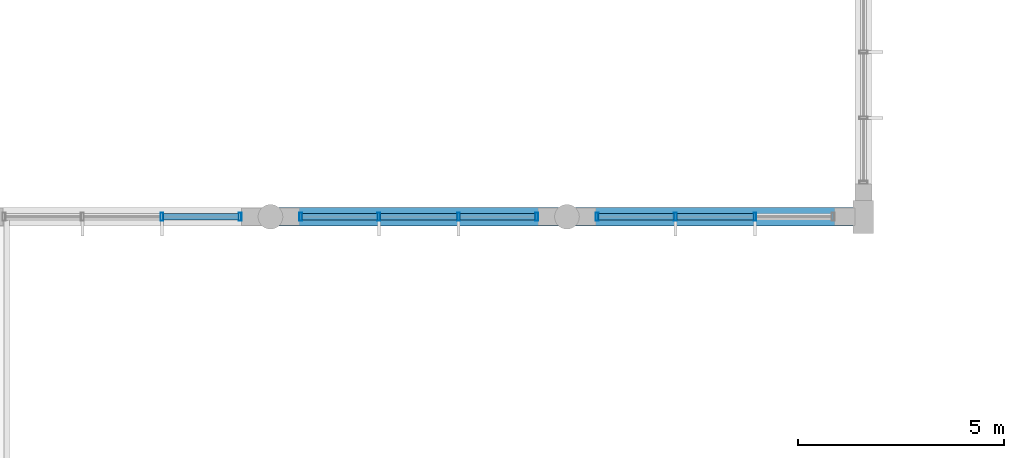
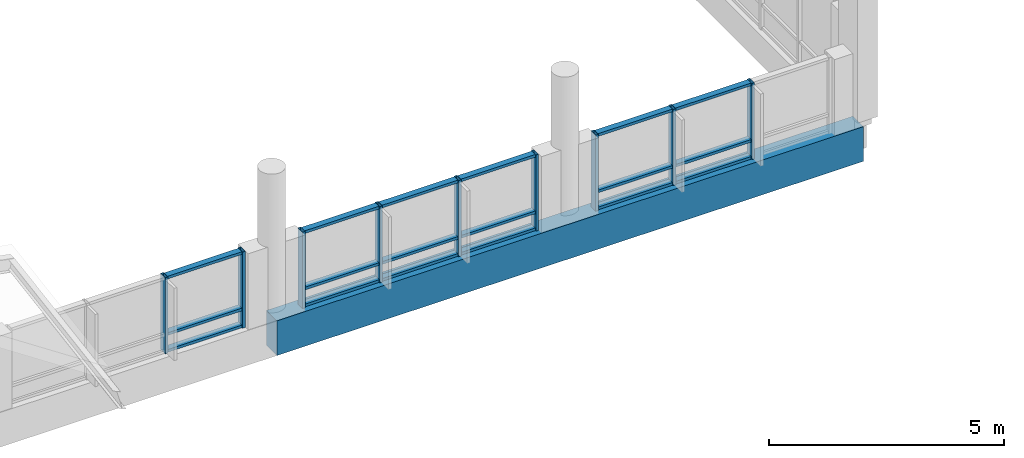
# One storey, part 59 of 189: 27 members, 1 beam, 3 elements without a shape of their own.
"""IFC4 building model written with IfcOpenShell, lengths in metres."""

from ifc_helpers import new_model, si_unit, direction, frame, origin, origin_2d, place, context, subcontext, project, spatial, rectangle, hollow_rectangle, extrude, material, material_profile, profile_set, type_object, element, aggregate, save


model = new_model("IFC4")

# Units and contexts
model_context = context("Model", 3, precision=1e-05, world=origin(), true_north=direction((0.0, 1.0)))
body_context = subcontext(model_context, "Body", "Model", "MODEL_VIEW")
ifc_project = project(units=[si_unit("LENGTHUNIT", "METRE"), si_unit("AREAUNIT", "SQUARE_METRE"), si_unit("VOLUMEUNIT", "CUBIC_METRE"), si_unit("PLANEANGLEUNIT", "RADIAN"), si_unit("MASSUNIT", "GRAM", prefix="KILO")], contexts=[model_context])

# Site, building, storey
site_placement = place(None, origin())
site = spatial("IfcSite", under=ifc_project, at=site_placement, CompositionType="ELEMENT")
building_placement = place(site_placement, origin())
building = spatial("IfcBuilding", under=site, at=building_placement, Name="Zavelmont Quarter", CompositionType="ELEMENT")
storey_placement = place(building_placement, frame((0.0, 0.0, 4.39990234375)))
storey = spatial("IfcBuildingStorey", under=building, at=storey_placement, Name="L01", CompositionType="ELEMENT", Elevation=4.39990234375)

# Beam
ifc_material_1 = material(Name="Concrete C40/50", Category="concrete")
ifc_material_profile_1 = material_profile(ifc_material_1, rectangle(XDim=0.449951171875, YDim=0.89990234375, at=origin_2d()), Name="RC450X900")
ifc_profile_set_1 = profile_set([ifc_material_profile_1], Name="Concrete C40/50")
beam_type = type_object("IfcBeamType", Name="BM06", PredefinedType="BEAM", material=ifc_profile_set_1)
beam_placement = place(storey_placement, frame((98.39990234375, 30.0, -0.72998046875), z_axis=(1.0, 0.0, 0.0), x_axis=(0.0, 1.0, 0.0)))
element("IfcBeam", 1, at=beam_placement, inside=storey, type_object=beam_type, Name="L01 beam BM06 15/F to 17/F", PredefinedType="BEAM", context=body_context, shape_type="SweptSolid", body=[
    extrude(rectangle(XDim=0.449951171875, YDim=0.89990234375, at=origin_2d()), origin(), (0.0, 0.0, 1.0), 14.400146484375),
])

# Curtain wall, members
ifc_material_2 = material(Name="Thermally broken aluminium and double low-E safety glazing", Category="aluminium")
curtain_wall_type = type_object("IfcCurtainWallType", Name="CW-580X198", PredefinedType="NOTDEFINED", material=ifc_material_2)
curtain_wall_1_placement = place(storey_placement, origin())
curtain_wall_1 = element("IfcCurtainWall", 2, at=curtain_wall_1_placement, inside=storey, type_object=curtain_wall_type, Name="L01 unitised curtain wall CW-580X198", PredefinedType="NOTDEFINED")
ifc_material_3 = material(Name="Powder-coated aluminium EN AW-6063-T6", Category="aluminium")
ifc_material_profile_2 = material_profile(ifc_material_3, hollow_rectangle(XDim=0.070068359375, YDim=0.199951171875, WallThickness=0.0048828125, at=origin_2d()), Name="CWM70X200")
ifc_profile_set_2 = profile_set([ifc_material_profile_2], Name="Powder-coated aluminium EN AW-6063-T6")
member_type_1 = type_object("IfcMemberType", Name="CWM02", PredefinedType="MULLION", material=ifc_profile_set_2)
member_1_placement = place(storey_placement, frame((95.7666015625, 30.0, -0.27978515625), z_axis=(0.0, 0.0, 1.0), x_axis=(1.0, 0.0, 0.0)))
member_1 = element("IfcMember", 3, at=member_1_placement, type_object=member_type_1, Name="CW-580X198 mullion 3", PredefinedType="MULLION", context=body_context, shape_type="SweptSolid", body=[
    extrude(hollow_rectangle(XDim=0.070068359375, YDim=0.199951171875, WallThickness=0.0048828125, at=origin_2d()), origin(), (0.0, 0.0, 1.0), 1.974853515625),
])
member_2_placement = place(storey_placement, frame((97.6650390625, 30.0, -0.27978515625), z_axis=(0.0, 0.0, 1.0), x_axis=(1.0, 0.0, 0.0)))
member_2 = element("IfcMember", 4, at=member_2_placement, type_object=member_type_1, Name="CW-580X198 mullion 4", PredefinedType="MULLION", context=body_context, shape_type="SweptSolid", body=[
    extrude(hollow_rectangle(XDim=0.070068359375, YDim=0.199951171875, WallThickness=0.0048828125, at=origin_2d()), origin(), (0.0, 0.0, 1.0), 1.974853515625),
])

curtain_wall_2_placement = place(storey_placement, origin())
curtain_wall_2 = element("IfcCurtainWall", 5, at=curtain_wall_2_placement, inside=storey, type_object=curtain_wall_type, Name="L01 unitised curtain wall CW-580X198", PredefinedType="NOTDEFINED")
member_3_placement = place(storey_placement, frame((99.135009765625, 30.0, -0.27978515625), z_axis=(0.0, 0.0, 1.0), x_axis=(1.0, 0.0, 0.0)))
member_3 = element("IfcMember", 6, at=member_3_placement, type_object=member_type_1, Name="CW-580X198 mullion 1", PredefinedType="MULLION", context=body_context, shape_type="SweptSolid", body=[
    extrude(hollow_rectangle(XDim=0.070068359375, YDim=0.199951171875, WallThickness=0.0048828125, at=origin_2d()), origin(), (0.0, 0.0, 1.0), 1.974853515625),
])
member_4_placement = place(storey_placement, frame((101.033447265625, 30.0, -0.27978515625), z_axis=(0.0, 0.0, 1.0), x_axis=(1.0, 0.0, 0.0)))
member_4 = element("IfcMember", 7, at=member_4_placement, type_object=member_type_1, Name="CW-580X198 mullion 2", PredefinedType="MULLION", context=body_context, shape_type="SweptSolid", body=[
    extrude(hollow_rectangle(XDim=0.070068359375, YDim=0.199951171875, WallThickness=0.0048828125, at=origin_2d()), origin(), (0.0, 0.0, 1.0), 1.974853515625),
])
member_5_placement = place(storey_placement, frame((102.966552734375, 30.0, -0.27978515625), z_axis=(0.0, 0.0, 1.0), x_axis=(1.0, 0.0, 0.0)))
member_5 = element("IfcMember", 8, at=member_5_placement, type_object=member_type_1, Name="CW-580X198 mullion 3", PredefinedType="MULLION", context=body_context, shape_type="SweptSolid", body=[
    extrude(hollow_rectangle(XDim=0.070068359375, YDim=0.199951171875, WallThickness=0.0048828125, at=origin_2d()), origin(), (0.0, 0.0, 1.0), 1.974853515625),
])
member_6_placement = place(storey_placement, frame((104.864990234375, 30.0, -0.27978515625), z_axis=(0.0, 0.0, 1.0), x_axis=(1.0, 0.0, 0.0)))
member_6 = element("IfcMember", 9, at=member_6_placement, type_object=member_type_1, Name="CW-580X198 mullion 4", PredefinedType="MULLION", context=body_context, shape_type="SweptSolid", body=[
    extrude(hollow_rectangle(XDim=0.070068359375, YDim=0.199951171875, WallThickness=0.0048828125, at=origin_2d()), origin(), (0.0, 0.0, 1.0), 1.974853515625),
])

curtain_wall_3_placement = place(storey_placement, origin())
curtain_wall_3 = element("IfcCurtainWall", 10, at=curtain_wall_3_placement, inside=storey, type_object=curtain_wall_type, Name="L01 unitised curtain wall CW-580X198", PredefinedType="NOTDEFINED")
member_7_placement = place(storey_placement, frame((106.3349609375, 30.0, -0.27978515625), z_axis=(0.0, 0.0, 1.0), x_axis=(1.0, 0.0, 0.0)))
member_7 = element("IfcMember", 11, at=member_7_placement, type_object=member_type_1, Name="CW-580X198 mullion 1", PredefinedType="MULLION", context=body_context, shape_type="SweptSolid", body=[
    extrude(hollow_rectangle(XDim=0.070068359375, YDim=0.199951171875, WallThickness=0.0048828125, at=origin_2d()), origin(), (0.0, 0.0, 1.0), 1.974853515625),
])
member_8_placement = place(storey_placement, frame((108.2333984375, 30.0, -0.27978515625), z_axis=(0.0, 0.0, 1.0), x_axis=(1.0, 0.0, 0.0)))
member_8 = element("IfcMember", 12, at=member_8_placement, type_object=member_type_1, Name="CW-580X198 mullion 2", PredefinedType="MULLION", context=body_context, shape_type="SweptSolid", body=[
    extrude(hollow_rectangle(XDim=0.070068359375, YDim=0.199951171875, WallThickness=0.0048828125, at=origin_2d()), origin(), (0.0, 0.0, 1.0), 1.974853515625),
])
member_9_placement = place(storey_placement, frame((110.166748046875, 30.0, -0.27978515625), z_axis=(0.0, 0.0, 1.0), x_axis=(1.0, 0.0, 0.0)))
member_9 = element("IfcMember", 13, at=member_9_placement, type_object=member_type_1, Name="CW-580X198 mullion 3", PredefinedType="MULLION", context=body_context, shape_type="SweptSolid", body=[
    extrude(hollow_rectangle(XDim=0.070068359375, YDim=0.199951171875, WallThickness=0.0048828125, at=origin_2d()), origin(), (0.0, 0.0, 1.0), 1.974853515625),
])

# Member
ifc_material_profile_3 = material_profile(ifc_material_3, hollow_rectangle(XDim=0.14990234375, YDim=0.070068359375, WallThickness=0.00439453125, at=origin_2d()), Name="CWT70X150")
ifc_profile_set_3 = profile_set([ifc_material_profile_3], Name="Powder-coated aluminium EN AW-6063-T6")
member_type_2 = type_object("IfcMemberType", Name="CWT02", PredefinedType="NOTDEFINED", material=ifc_profile_set_3)
member_10_placement = place(storey_placement, frame((95.8017578125, 30.0, -0.244873046875), z_axis=(1.0, 0.0, 0.0), x_axis=(0.0, 1.0, 0.0)))
member_10 = element("IfcMember", 14, at=member_10_placement, type_object=member_type_2, Name="CW-580X198 transom 3.1", ObjectType="TRANSOM", PredefinedType="USERDEFINED", context=body_context, shape_type="SweptSolid", body=[
    extrude(hollow_rectangle(XDim=0.14990234375, YDim=0.070068359375, WallThickness=0.00439453125, at=origin_2d()), origin(), (0.0, 0.0, 1.0), 1.828125),
])

member_11_placement = place(storey_placement, frame((95.8017578125, 30.0, 0.194091796875), z_axis=(1.0, 0.0, 0.0), x_axis=(0.0, 1.0, 0.0)))
member_11 = element("IfcMember", 15, at=member_11_placement, type_object=member_type_2, Name="CW-580X198 transom 3.2", ObjectType="TRANSOM", PredefinedType="USERDEFINED", context=body_context, shape_type="SweptSolid", body=[
    extrude(hollow_rectangle(XDim=0.14990234375, YDim=0.070068359375, WallThickness=0.00439453125, at=origin_2d()), origin(), (0.0, 0.0, 1.0), 1.828125),
])

member_12_placement = place(storey_placement, frame((95.8017578125, 30.0, 1.66015625), z_axis=(1.0, 0.0, 0.0), x_axis=(0.0, 1.0, 0.0)))
member_12 = element("IfcMember", 16, at=member_12_placement, type_object=member_type_2, Name="CW-580X198 transom 3.3", ObjectType="TRANSOM", PredefinedType="USERDEFINED", context=body_context, shape_type="SweptSolid", body=[
    extrude(hollow_rectangle(XDim=0.14990234375, YDim=0.070068359375, WallThickness=0.00439453125, at=origin_2d()), origin(), (0.0, 0.0, 1.0), 1.828125),
])

aggregate(curtain_wall_1, [member_1, member_2, member_10, member_11, member_12])

member_13_placement = place(storey_placement, frame((99.169921875, 30.0, -0.244873046875), z_axis=(1.0, 0.0, 0.0), x_axis=(0.0, 1.0, 0.0)))
member_13 = element("IfcMember", 17, at=member_13_placement, type_object=member_type_2, Name="CW-580X198 transom 1.1", ObjectType="TRANSOM", PredefinedType="USERDEFINED", context=body_context, shape_type="SweptSolid", body=[
    extrude(hollow_rectangle(XDim=0.14990234375, YDim=0.070068359375, WallThickness=0.00439453125, at=origin_2d()), origin(), (0.0, 0.0, 1.0), 1.828369140625),
])

member_14_placement = place(storey_placement, frame((99.169921875, 30.0, 0.194091796875), z_axis=(1.0, 0.0, 0.0), x_axis=(0.0, 1.0, 0.0)))
member_14 = element("IfcMember", 18, at=member_14_placement, type_object=member_type_2, Name="CW-580X198 transom 1.2", ObjectType="TRANSOM", PredefinedType="USERDEFINED", context=body_context, shape_type="SweptSolid", body=[
    extrude(hollow_rectangle(XDim=0.14990234375, YDim=0.070068359375, WallThickness=0.00439453125, at=origin_2d()), origin(), (0.0, 0.0, 1.0), 1.828369140625),
])

member_15_placement = place(storey_placement, frame((99.169921875, 30.0, 1.66015625), z_axis=(1.0, 0.0, 0.0), x_axis=(0.0, 1.0, 0.0)))
member_15 = element("IfcMember", 19, at=member_15_placement, type_object=member_type_2, Name="CW-580X198 transom 1.3", ObjectType="TRANSOM", PredefinedType="USERDEFINED", context=body_context, shape_type="SweptSolid", body=[
    extrude(hollow_rectangle(XDim=0.14990234375, YDim=0.070068359375, WallThickness=0.00439453125, at=origin_2d()), origin(), (0.0, 0.0, 1.0), 1.828369140625),
])

member_16_placement = place(storey_placement, frame((101.068359375, 30.0, -0.244873046875), z_axis=(1.0, 0.0, 0.0), x_axis=(0.0, 1.0, 0.0)))
member_16 = element("IfcMember", 20, at=member_16_placement, type_object=member_type_2, Name="CW-580X198 transom 2.1", ObjectType="TRANSOM", PredefinedType="USERDEFINED", context=body_context, shape_type="SweptSolid", body=[
    extrude(hollow_rectangle(XDim=0.14990234375, YDim=0.070068359375, WallThickness=0.00439453125, at=origin_2d()), origin(), (0.0, 0.0, 1.0), 1.86328125),
])

member_17_placement = place(storey_placement, frame((101.068359375, 30.0, 0.194091796875), z_axis=(1.0, 0.0, 0.0), x_axis=(0.0, 1.0, 0.0)))
member_17 = element("IfcMember", 21, at=member_17_placement, type_object=member_type_2, Name="CW-580X198 transom 2.2", ObjectType="TRANSOM", PredefinedType="USERDEFINED", context=body_context, shape_type="SweptSolid", body=[
    extrude(hollow_rectangle(XDim=0.14990234375, YDim=0.070068359375, WallThickness=0.00439453125, at=origin_2d()), origin(), (0.0, 0.0, 1.0), 1.86328125),
])

member_18_placement = place(storey_placement, frame((101.068359375, 30.0, 1.66015625), z_axis=(1.0, 0.0, 0.0), x_axis=(0.0, 1.0, 0.0)))
member_18 = element("IfcMember", 22, at=member_18_placement, type_object=member_type_2, Name="CW-580X198 transom 2.3", ObjectType="TRANSOM", PredefinedType="USERDEFINED", context=body_context, shape_type="SweptSolid", body=[
    extrude(hollow_rectangle(XDim=0.14990234375, YDim=0.070068359375, WallThickness=0.00439453125, at=origin_2d()), origin(), (0.0, 0.0, 1.0), 1.86328125),
])

member_19_placement = place(storey_placement, frame((103.001708984375, 30.0, -0.244873046875), z_axis=(1.0, 0.0, 0.0), x_axis=(0.0, 1.0, 0.0)))
member_19 = element("IfcMember", 23, at=member_19_placement, type_object=member_type_2, Name="CW-580X198 transom 3.1", ObjectType="TRANSOM", PredefinedType="USERDEFINED", context=body_context, shape_type="SweptSolid", body=[
    extrude(hollow_rectangle(XDim=0.14990234375, YDim=0.070068359375, WallThickness=0.00439453125, at=origin_2d()), origin(), (0.0, 0.0, 1.0), 1.828369140625),
])

member_20_placement = place(storey_placement, frame((103.001708984375, 30.0, 0.194091796875), z_axis=(1.0, 0.0, 0.0), x_axis=(0.0, 1.0, 0.0)))
member_20 = element("IfcMember", 24, at=member_20_placement, type_object=member_type_2, Name="CW-580X198 transom 3.2", ObjectType="TRANSOM", PredefinedType="USERDEFINED", context=body_context, shape_type="SweptSolid", body=[
    extrude(hollow_rectangle(XDim=0.14990234375, YDim=0.070068359375, WallThickness=0.00439453125, at=origin_2d()), origin(), (0.0, 0.0, 1.0), 1.828369140625),
])

member_21_placement = place(storey_placement, frame((103.001708984375, 30.0, 1.66015625), z_axis=(1.0, 0.0, 0.0), x_axis=(0.0, 1.0, 0.0)))
member_21 = element("IfcMember", 25, at=member_21_placement, type_object=member_type_2, Name="CW-580X198 transom 3.3", ObjectType="TRANSOM", PredefinedType="USERDEFINED", context=body_context, shape_type="SweptSolid", body=[
    extrude(hollow_rectangle(XDim=0.14990234375, YDim=0.070068359375, WallThickness=0.00439453125, at=origin_2d()), origin(), (0.0, 0.0, 1.0), 1.828369140625),
])

aggregate(curtain_wall_2, [member_3, member_4, member_5, member_6, member_13, member_14, member_15, member_16, member_17, member_18, member_19, member_20, member_21])

member_22_placement = place(storey_placement, frame((106.3701171875, 30.0, -0.244873046875), z_axis=(1.0, 0.0, 0.0), x_axis=(0.0, 1.0, 0.0)))
member_22 = element("IfcMember", 26, at=member_22_placement, type_object=member_type_2, Name="CW-580X198 transom 1.1", ObjectType="TRANSOM", PredefinedType="USERDEFINED", context=body_context, shape_type="SweptSolid", body=[
    extrude(hollow_rectangle(XDim=0.14990234375, YDim=0.070068359375, WallThickness=0.00439453125, at=origin_2d()), origin(), (0.0, 0.0, 1.0), 1.828125),
])

member_23_placement = place(storey_placement, frame((106.3701171875, 30.0, 0.194091796875), z_axis=(1.0, 0.0, 0.0), x_axis=(0.0, 1.0, 0.0)))
member_23 = element("IfcMember", 27, at=member_23_placement, type_object=member_type_2, Name="CW-580X198 transom 1.2", ObjectType="TRANSOM", PredefinedType="USERDEFINED", context=body_context, shape_type="SweptSolid", body=[
    extrude(hollow_rectangle(XDim=0.14990234375, YDim=0.070068359375, WallThickness=0.00439453125, at=origin_2d()), origin(), (0.0, 0.0, 1.0), 1.828125),
])

member_24_placement = place(storey_placement, frame((106.3701171875, 30.0, 1.66015625), z_axis=(1.0, 0.0, 0.0), x_axis=(0.0, 1.0, 0.0)))
member_24 = element("IfcMember", 28, at=member_24_placement, type_object=member_type_2, Name="CW-580X198 transom 1.3", ObjectType="TRANSOM", PredefinedType="USERDEFINED", context=body_context, shape_type="SweptSolid", body=[
    extrude(hollow_rectangle(XDim=0.14990234375, YDim=0.070068359375, WallThickness=0.00439453125, at=origin_2d()), origin(), (0.0, 0.0, 1.0), 1.828125),
])

member_25_placement = place(storey_placement, frame((108.268310546875, 30.0, -0.244873046875), z_axis=(1.0, 0.0, 0.0), x_axis=(0.0, 1.0, 0.0)))
member_25 = element("IfcMember", 29, at=member_25_placement, type_object=member_type_2, Name="CW-580X198 transom 2.1", ObjectType="TRANSOM", PredefinedType="USERDEFINED", context=body_context, shape_type="SweptSolid", body=[
    extrude(hollow_rectangle(XDim=0.14990234375, YDim=0.070068359375, WallThickness=0.00439453125, at=origin_2d()), origin(), (0.0, 0.0, 1.0), 1.86328125),
])

member_26_placement = place(storey_placement, frame((108.268310546875, 30.0, 0.194091796875), z_axis=(1.0, 0.0, 0.0), x_axis=(0.0, 1.0, 0.0)))
member_26 = element("IfcMember", 30, at=member_26_placement, type_object=member_type_2, Name="CW-580X198 transom 2.2", ObjectType="TRANSOM", PredefinedType="USERDEFINED", context=body_context, shape_type="SweptSolid", body=[
    extrude(hollow_rectangle(XDim=0.14990234375, YDim=0.070068359375, WallThickness=0.00439453125, at=origin_2d()), origin(), (0.0, 0.0, 1.0), 1.86328125),
])

member_27_placement = place(storey_placement, frame((108.268310546875, 30.0, 1.66015625), z_axis=(1.0, 0.0, 0.0), x_axis=(0.0, 1.0, 0.0)))
member_27 = element("IfcMember", 31, at=member_27_placement, type_object=member_type_2, Name="CW-580X198 transom 2.3", ObjectType="TRANSOM", PredefinedType="USERDEFINED", context=body_context, shape_type="SweptSolid", body=[
    extrude(hollow_rectangle(XDim=0.14990234375, YDim=0.070068359375, WallThickness=0.00439453125, at=origin_2d()), origin(), (0.0, 0.0, 1.0), 1.86328125),
])

aggregate(curtain_wall_3, [member_7, member_8, member_9, member_22, member_23, member_24, member_25, member_26, member_27])

save(model, "model.ifc")
